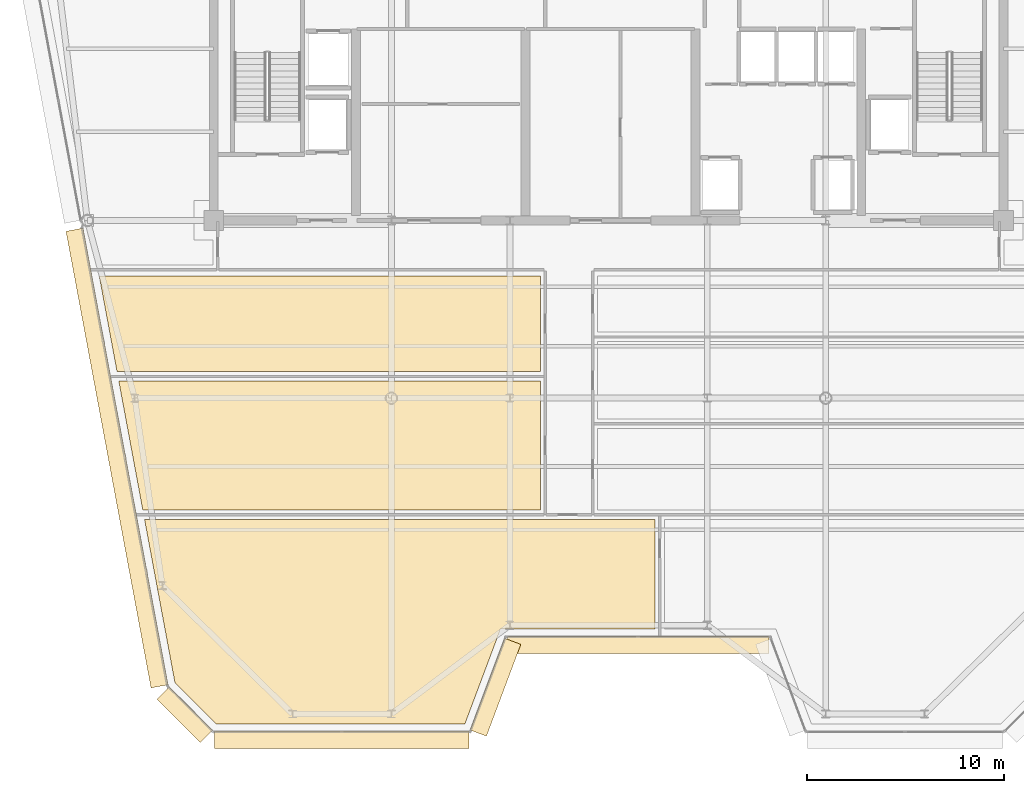
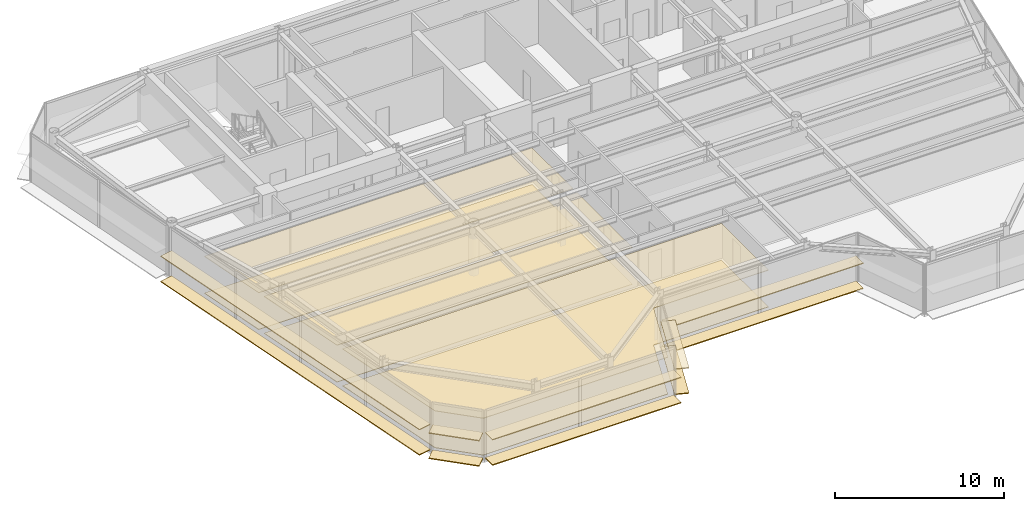
# One storey, part 12 of 18: 16 coverings.
"""IFC4 building model written with IfcOpenShell, lengths in metres."""

import ifcopenshell
import ifcopenshell.guid

model = None  # the IFC model being written
_history = None  # IfcOwnerHistory: only IFC2X3 demands one
_inside = {}  # id of a spatial element -> (the spatial element, [elements in it])
_under = {}  # id of a project, library or spatial element -> (it, [spatial elements below it])
_declared = {}  # id of a project -> (the project, [libraries it declares])
_typed = {}  # id of a type object -> (the type object, [elements of that type])
_made_of = {}  # id of a material, layer set ... -> (it, [elements and type objects made of it])


def new_model(schema):
    """Start an empty IFC model of exactly this schema.

    Asked for "IFC4X3", IfcOpenShell would pick the latest addendum, in which some entities
    have other attributes; the version numbers below select the first issue.
    IFC2X3 requires an IfcOwnerHistory on every rooted entity: one is made here for all.
    """
    global model, _history
    if schema == "IFC4X3":
        model = ifcopenshell.file(schema_version=(4, 3, 0, 0))
    else:
        model = ifcopenshell.file(schema=schema)
    _inside.clear()
    _under.clear()
    _declared.clear()
    _typed.clear()
    _made_of.clear()
    _history = None
    if model.schema == "IFC2X3":
        org = make("IfcOrganization", Name="unknown")
        user = make(
            "IfcPersonAndOrganization",
            ThePerson=make("IfcPerson", FamilyName="unknown"),
            TheOrganization=org,
        )
        app = make(
            "IfcApplication",
            ApplicationDeveloper=org,
            Version="unknown",
            ApplicationFullName="unknown",
            ApplicationIdentifier="unknown",
        )
        _history = make(
            "IfcOwnerHistory",
            OwningUser=user,
            OwningApplication=app,
            ChangeAction="ADDED",
            CreationDate=0,
        )
    return model


def make(cls, **values):
    """One entity of the class cls with the attributes given. An attribute that is None is left unset."""
    return model.create_entity(
        cls, **{name: value for name, value in values.items() if value is not None}
    )


def rooted(cls, **values):
    """An entity with a GlobalId (a new one), such as an element, a storey or a relation."""
    return make(cls, GlobalId=ifcopenshell.guid.new(), OwnerHistory=_history, **values)


def si_unit(unit_type, name, prefix=None):
    """IfcSIUnit, for example si_unit("LENGTHUNIT", "METRE", prefix="MILLI")."""
    return make("IfcSIUnit", UnitType=unit_type, Prefix=prefix, Name=name)


def assignment(units):
    """IfcUnitAssignment: the units of a project."""
    return None if units is None else make("IfcUnitAssignment", Units=units)


def point(xyz):
    """IfcCartesianPoint."""
    return None if xyz is None else make("IfcCartesianPoint", Coordinates=xyz)


def direction(xyz):
    """IfcDirection."""
    return None if xyz is None else make("IfcDirection", DirectionRatios=xyz)


def frame(location, z_axis=None, x_axis=None):
    """IfcAxis2Placement3D, a coordinate frame: its origin and axes. An axis left out is left unset."""
    return make(
        "IfcAxis2Placement3D",
        Location=point(location),
        Axis=direction(z_axis),
        RefDirection=direction(x_axis),
    )


def frame_2d(location, x_axis=None):
    """IfcAxis2Placement2D, a coordinate frame in the plane: its origin and x axis."""
    return make(
        "IfcAxis2Placement2D", Location=point(location), RefDirection=direction(x_axis)
    )


def origin():
    """The frame at (0, 0, 0) with its axes left unset."""
    return frame((0.0, 0.0, 0.0))


def origin_2d():
    """The frame at (0, 0) in the plane with its x axis left unset."""
    return frame_2d((0.0, 0.0))


def place(relative_to, where):
    """IfcLocalPlacement: puts the frame where relative to a parent placement (None: the world)."""
    return make(
        "IfcLocalPlacement", PlacementRelTo=relative_to, RelativePlacement=where
    )


def context(
    kind, dimensions, precision=None, world=None, true_north=None, identifier=None
):
    """IfcGeometricRepresentationContext, for example the 3D "Model" context."""
    return make(
        "IfcGeometricRepresentationContext",
        ContextIdentifier=identifier,
        ContextType=kind,
        CoordinateSpaceDimension=dimensions,
        Precision=precision,
        WorldCoordinateSystem=world,
        TrueNorth=true_north,
    )


def subcontext(parent, identifier, kind, view, scale=None):
    """IfcGeometricRepresentationSubContext, for example "Body" below "Model"."""
    return make(
        "IfcGeometricRepresentationSubContext",
        ContextIdentifier=identifier,
        ContextType=kind,
        ParentContext=parent,
        TargetScale=scale,
        TargetView=view,
    )


def project(units=None, contexts=None):
    """IfcProject with its units and contexts."""
    return rooted(
        "IfcProject",
        Name="project",
        RepresentationContexts=contexts,
        UnitsInContext=assignment(units),
    )


def spatial(cls, under=None, at=None, **own):
    """A site, building, storey or space (cls), placed at a placement, below another one or the project."""
    s = rooted(cls, ObjectPlacement=at, **own)
    if under is not None:
        _under.setdefault(under.id(), (under, []))[1].append(s)
    return s


def polyline(points):
    """IfcPolyline through the points."""
    return make("IfcPolyline", Points=[point(p) for p in points])


def profile(cls, at=None, kind="AREA", **sizes):
    """A parametric profile (cls). Its sizes go by their IFC names, for example OverallWidth=200.0."""
    return make(cls, ProfileType=kind, Position=at, **sizes)


def rectangle(**sizes):
    """IfcRectangleProfileDef."""
    return profile("IfcRectangleProfileDef", **sizes)


def outline(outer, holes=None, kind="AREA"):
    """IfcArbitraryClosedProfileDef: a profile drawn as a closed curve; with holes, ...WithVoids."""
    if holes is None:
        return make("IfcArbitraryClosedProfileDef", ProfileType=kind, OuterCurve=outer)
    return make(
        "IfcArbitraryProfileDefWithVoids",
        ProfileType=kind,
        OuterCurve=outer,
        InnerCurves=holes,
    )


def extrude(swept, where, along, depth):
    """IfcExtrudedAreaSolid: the profile swept, set in the frame where, extruded along a direction by depth."""
    return make(
        "IfcExtrudedAreaSolid",
        SweptArea=swept,
        Position=where,
        ExtrudedDirection=direction(along),
        Depth=depth,
    )


def shape(context_of_items, identifier, shape_type, items):
    """IfcShapeRepresentation: the items that make up one representation, for example the "Body"."""
    return make(
        "IfcShapeRepresentation",
        ContextOfItems=context_of_items,
        RepresentationIdentifier=identifier,
        RepresentationType=shape_type,
        Items=items,
    )


def source(mapping_origin, context_of_items, identifier, shape_type, items):
    """IfcRepresentationMap: a shape defined once, which mapped items show again and again."""
    return make(
        "IfcRepresentationMap",
        MappingOrigin=mapping_origin,
        MappedRepresentation=shape(context_of_items, identifier, shape_type, items),
    )


def transform(
    local_origin,
    x_axis=None,
    y_axis=None,
    z_axis=None,
    scale=None,
    scale2=None,
    scale3=None,
    uniform=True,
):
    """IfcCartesianTransformationOperator3D, or its non-uniform kind. x_axis, y_axis, z_axis: its Axis1, 2, 3."""
    if uniform:
        return make(
            "IfcCartesianTransformationOperator3D",
            Axis1=direction(x_axis),
            Axis2=direction(y_axis),
            LocalOrigin=point(local_origin),
            Scale=scale,
            Axis3=direction(z_axis),
        )
    return make(
        "IfcCartesianTransformationOperator3DnonUniform",
        Axis1=direction(x_axis),
        Axis2=direction(y_axis),
        LocalOrigin=point(local_origin),
        Scale=scale,
        Axis3=direction(z_axis),
        Scale2=scale2,
        Scale3=scale3,
    )


def mapped(mapping_source, mapping_target):
    """IfcMappedItem: shows the shape of a source again, moved by a transform."""
    return make(
        "IfcMappedItem", MappingSource=mapping_source, MappingTarget=mapping_target
    )


def material(Name=None, Category=None):
    """IfcMaterial."""
    return make("IfcMaterial", Name=Name, Category=Category)


def layer(
    of_material, thickness, ventilated=None, Name=None, Category=None, Priority=None
):
    """IfcMaterialLayer: one layer of a wall or slab, of a material (None: an air gap)."""
    return make(
        "IfcMaterialLayer",
        Material=of_material,
        LayerThickness=thickness,
        IsVentilated=ventilated,
        Name=Name,
        Category=Category,
        Priority=Priority,
    )


def layer_set(layers, Name=None):
    """IfcMaterialLayerSet."""
    return make("IfcMaterialLayerSet", MaterialLayers=layers, LayerSetName=Name)


def made_of(thing, what):
    """Note that an element or type object is made of a material, layer set ...; save() writes the relation."""
    if what is not None:
        _made_of.setdefault(what.id(), (what, []))[1].append(thing)
    return thing


def type_object(cls, material=None, **own):
    """A type object (cls), such as IfcWallType, which elements share."""
    return made_of(rooted(cls, **own), material)


def element(
    cls,
    number,
    at=None,
    inside=None,
    cuts=None,
    type_object=None,
    material=None,
    context=None,
    identifier="Body",
    shape_type=None,
    held_by="IfcProductDefinitionShape",
    body=None,
    shapes=None,
    **own,
):
    """One element of the class cls, such as IfcWall. Its Tag is "e" and its number.

    at: its placement. inside: the storey or other place that contains it. cuts: it is an
    opening in that element (IfcRelVoidsElement). A single representation is given by context,
    identifier, shape_type and body (its items); several are given by shapes. held_by: the class
    of the entity that holds the representations. save() writes the other relations.
    """
    e = rooted(cls, Tag="e%d" % number, ObjectPlacement=at, **own)
    if body is not None:
        shapes = [shape(context, identifier, shape_type, body)]
    if shapes is not None:
        e.Representation = make(held_by, Representations=shapes)
    if inside is not None:
        _inside.setdefault(inside.id(), (inside, []))[1].append(e)
    if cuts is not None:
        rooted(
            "IfcRelVoidsElement", RelatingBuildingElement=cuts, RelatedOpeningElement=e
        )
    if type_object is not None:
        _typed.setdefault(type_object.id(), (type_object, []))[1].append(e)
    return made_of(e, material)


def aggregate(whole, parts):
    """IfcRelAggregates: a whole, such as a stair, and the parts it consists of."""
    return rooted("IfcRelAggregates", RelatingObject=whole, RelatedObjects=parts)


def save(model, path):
    """Write the relations noted so far, then the file.

    IfcRelAggregates (storeys below a building ...), IfcRelContainedInSpatialStructure (elements
    in a storey), IfcRelDefinesByType, IfcRelAssociatesMaterial and IfcRelDeclares: one each for
    every whole, place, type object, material and project.
    """
    for whole, parts in _under.values():
        aggregate(whole, parts)
    for where, things in _inside.values():
        rooted(
            "IfcRelContainedInSpatialStructure",
            RelatedElements=things,
            RelatingStructure=where,
        )
    for kind, things in _typed.values():
        rooted("IfcRelDefinesByType", RelatedObjects=things, RelatingType=kind)
    for what, things in _made_of.values():
        rooted("IfcRelAssociatesMaterial", RelatedObjects=things, RelatingMaterial=what)
    for by, libraries in _declared.values():
        rooted("IfcRelDeclares", RelatingContext=by, RelatedDefinitions=libraries)
    model.write(path)


model = new_model("IFC4")

# Units and contexts
model_context = context("Model", 3, precision=1e-05, world=origin(), true_north=direction((0.0, 1.0)))
body_context = subcontext(model_context, "Body", "Model", "MODEL_VIEW")
ifc_project = project(units=[si_unit("LENGTHUNIT", "METRE"), si_unit("AREAUNIT", "SQUARE_METRE"), si_unit("VOLUMEUNIT", "CUBIC_METRE"), si_unit("PLANEANGLEUNIT", "RADIAN"), si_unit("MASSUNIT", "GRAM", prefix="KILO")], contexts=[model_context])

# Site, building, storey
site_placement = place(None, origin())
site = spatial("IfcSite", under=ifc_project, at=site_placement, CompositionType="ELEMENT")
building_placement = place(site_placement, origin())
building = spatial("IfcBuilding", under=site, at=building_placement, Name="Vaeldorn Concourse Tower", CompositionType="ELEMENT")
storey_placement = place(building_placement, frame((0.0, 0.0, 261.199951171875)))
storey = spatial("IfcBuildingStorey", under=building, at=storey_placement, Name="L67", CompositionType="ELEMENT", Elevation=261.199951171875)

# Coverings
ifc_material_1 = material(Name="Acoustic Mineral Fibre Board", Category="gypsum")
ifc_layer_1 = layer(ifc_material_1, 0.0400390625)
ifc_layer_set_1 = layer_set([ifc_layer_1], Name="Acoustic Mineral Fibre Board")
covering_type_1 = type_object("IfcCoveringType", Name="COV-CEIL-ACOUSTIC", PredefinedType="CEILING", material=ifc_layer_set_1)
covering_1_placement = place(storey_placement, frame((0.0, 0.0, 2.650146484375)))
element("IfcCovering", 1, at=covering_1_placement, inside=storey, type_object=covering_type_1, Name="Suspended Acoustic Ceiling L67-5", PredefinedType="CEILING", context=body_context, shape_type="SweptSolid", body=[
    extrude(outline(polyline([(30.56005859375, 28.360107421875), (30.56005859375, 21.840087890625), (10.408203125, 21.840087890625), (9.194091796875, 28.360107421875), (30.56005859375, 28.360107421875)])), origin(), (0.0, 0.0, 1.0), 0.039794921875),
])
covering_2_placement = place(storey_placement, frame((0.0, 0.0, 2.650146484375)))
element("IfcCovering", 2, at=covering_2_placement, inside=storey, type_object=covering_type_1, Name="Suspended Acoustic Ceiling L67-6", PredefinedType="CEILING", context=body_context, shape_type="SweptSolid", body=[
    extrude(outline(polyline([(30.56005859375, 33.699951171875), (30.56005859375, 28.840087890625), (9.10498046875, 28.840087890625), (8.199951171875, 33.699951171875), (30.56005859375, 33.699951171875)])), origin(), (0.0, 0.0, 1.0), 0.039794921875),
])
covering_3_placement = place(storey_placement, frame((0.0, 0.0, 2.650146484375)))
element("IfcCovering", 3, at=covering_3_placement, inside=storey, type_object=covering_type_1, Name="Suspended Acoustic Ceiling L67-10", PredefinedType="CEILING", context=body_context, shape_type="SweptSolid", body=[
    extrude(outline(polyline([(36.360107421875, 21.360107421875), (36.360107421875, 15.800048828125), (28.522705078125, 15.800048828125), (26.722900390625, 11.0), (14.131591796875, 11.0), (12.03662109375, 13.09521484375), (11.24609375, 17.340087890625), (11.24609375, 17.340087890625), (10.49755859375, 21.360107421875), (36.360107421875, 21.360107421875)])), origin(), (0.0, 0.0, 1.0), 0.039794921875),
])
ifc_material_2 = material(Name="Honed Limestone Terrazzo Flooring", Category="masonry")
ifc_layer_2 = layer(ifc_material_2, 0.0400390625)
ifc_layer_set_2 = layer_set([ifc_layer_2], Name="Honed Limestone Terrazzo Flooring")
covering_type_2 = type_object("IfcCoveringType", Name="COV-FLOOR-STONE", PredefinedType="FLOORING", material=ifc_layer_set_2)
covering_4_placement = place(storey_placement, origin())
element("IfcCovering", 4, at=covering_4_placement, inside=storey, type_object=covering_type_2, Name="Floor Finish Covering L67-5", PredefinedType="FLOORING", context=body_context, shape_type="SweptSolid", body=[
    extrude(outline(polyline([(30.56005859375, 28.360107421875), (30.56005859375, 21.840087890625), (10.408203125, 21.840087890625), (9.194091796875, 28.360107421875), (30.56005859375, 28.360107421875)])), origin(), (0.0, 0.0, 1.0), 0.030029296875),
])
covering_5_placement = place(storey_placement, origin())
element("IfcCovering", 5, at=covering_5_placement, inside=storey, type_object=covering_type_2, Name="Floor Finish Covering L67-6", PredefinedType="FLOORING", context=body_context, shape_type="SweptSolid", body=[
    extrude(outline(polyline([(30.56005859375, 33.699951171875), (30.56005859375, 28.840087890625), (9.10498046875, 28.840087890625), (8.199951171875, 33.699951171875), (30.56005859375, 33.699951171875)])), origin(), (0.0, 0.0, 1.0), 0.030029296875),
])
covering_6_placement = place(storey_placement, origin())
element("IfcCovering", 6, at=covering_6_placement, inside=storey, type_object=covering_type_2, Name="Floor Finish Covering L67-10", PredefinedType="FLOORING", context=body_context, shape_type="SweptSolid", body=[
    extrude(outline(polyline([(36.360107421875, 21.360107421875), (36.360107421875, 15.800048828125), (28.522705078125, 15.800048828125), (26.722900390625, 11.0), (14.131591796875, 11.0), (12.03662109375, 13.09521484375), (11.24609375, 17.340087890625), (11.24609375, 17.340087890625), (10.49755859375, 21.360107421875), (36.360107421875, 21.360107421875)])), origin(), (0.0, 0.0, 1.0), 0.030029296875),
])
ifc_material_3 = material(Name="Anodised Bronze Aluminium", Category="aluminium")
ifc_layer_3 = layer(ifc_material_3, 0.06494140625)
ifc_layer_set_3 = layer_set([ifc_layer_3], Name="Anodised Bronze Aluminium")
covering_type_3 = type_object("IfcCoveringType", Name="SD-BRONZE-SUNSHADE", PredefinedType="USERDEFINED", material=ifc_layer_set_3)
shared_shape_1 = source(origin(), body_context, "Body", "SweptSolid", [
    extrude(rectangle(XDim=4.96630859375, YDim=0.8798828125, at=origin_2d()), origin(), (0.0, 0.0, 1.0), 0.06494140625),
])
for number, where, z_axis, x_axis, name in (
    (7, (28.2744140625, 12.859619140625, 0.047607421875), (0.0, 0.0, 1.0), (0.351122702609, 0.936329454686, 0.0), "Horizontal Bronze Sunshade L67-E02.1.1"),
    (8, (28.2744140625, 12.859619140625, 1.86767578125), (0.0, 0.0, 1.0), (0.351122702609, 0.936329454686, 0.0), "Horizontal Bronze Sunshade L67-E02.1.2"),
):
    element("IfcCovering", number, at=place(storey_placement, frame(where, z_axis=z_axis, x_axis=x_axis)), inside=storey, type_object=covering_type_3, Name=name, ObjectType="SUNSHADE", PredefinedType="USERDEFINED", context=body_context, shape_type="MappedRepresentation", body=[
        mapped(shared_shape_1, transform((0.0, 0.0, 0.0), scale=1.0)),
    ])
shared_shape_2 = source(origin(), body_context, "Body", "SweptSolid", [
    extrude(rectangle(XDim=13.239990234375, YDim=0.8798828125, at=origin_2d()), origin(), (0.0, 0.0, 1.0), 0.06494140625),
])
for number, where, z_axis, x_axis, name in (
    (9, (35.5, 15.0, 0.047607421875), (0.0, 0.0, 1.0), (1.0, 0.0, 0.0), "Horizontal Bronze Sunshade L67-E03.1.1"),
    (10, (35.5, 15.0, 1.86767578125), (0.0, 0.0, 1.0), (1.0, 0.0, 0.0), "Horizontal Bronze Sunshade L67-E03.1.2"),
):
    element("IfcCovering", number, at=place(storey_placement, frame(where, z_axis=z_axis, x_axis=x_axis)), inside=storey, type_object=covering_type_3, Name=name, ObjectType="SUNSHADE", PredefinedType="USERDEFINED", context=body_context, shape_type="MappedRepresentation", body=[
        mapped(shared_shape_2, transform((0.0, 0.0, 0.0), scale=1.0)),
    ])
shared_shape_3 = source(origin(), body_context, "Body", "SweptSolid", [
    extrude(rectangle(XDim=3.0927734375, YDim=0.8798828125, at=origin_2d()), origin(), (0.0, 0.0, 1.0), 0.06494140625),
])
for number, where, z_axis, x_axis, name in (
    (11, (12.533203125, 11.46728515625, 0.047607421875), (0.0, 0.0, 1.0), (0.707106781187, -0.707106781187, 0.0), "Horizontal Bronze Sunshade L67-E12.1.1"),
    (12, (12.533203125, 11.46728515625, 1.86767578125), (0.0, 0.0, 1.0), (0.707106781187, -0.707106781187, 0.0), "Horizontal Bronze Sunshade L67-E12.1.2"),
):
    element("IfcCovering", number, at=place(storey_placement, frame(where, z_axis=z_axis, x_axis=x_axis)), inside=storey, type_object=covering_type_3, Name=name, ObjectType="SUNSHADE", PredefinedType="USERDEFINED", context=body_context, shape_type="MappedRepresentation", body=[
        mapped(shared_shape_3, transform((0.0, 0.0, 0.0), scale=1.0)),
    ])
shared_shape_4 = source(origin(), body_context, "Body", "SweptSolid", [
    extrude(rectangle(XDim=23.525146484375, YDim=0.8798828125, at=origin_2d()), origin(), (0.0, 0.0, 1.0), 0.06494140625),
])
for number, where, z_axis, x_axis, name in (
    (13, (9.10498046875, 24.46923828125, 0.047607421875), (0.0, 0.0, 1.0), (0.183059191151, -0.983101893262, 0.0), "Horizontal Bronze Sunshade L67-E11.2.1"),
    (14, (9.10498046875, 24.46923828125, 1.86767578125), (0.0, 0.0, 1.0), (0.183059191151, -0.983101893262, 0.0), "Horizontal Bronze Sunshade L67-E11.2.2"),
):
    element("IfcCovering", number, at=place(storey_placement, frame(where, z_axis=z_axis, x_axis=x_axis)), inside=storey, type_object=covering_type_3, Name=name, ObjectType="SUNSHADE", PredefinedType="USERDEFINED", context=body_context, shape_type="MappedRepresentation", body=[
        mapped(shared_shape_4, transform((0.0, 0.0, 0.0), scale=1.0)),
    ])
shared_shape_5 = source(origin(), body_context, "Body", "SweptSolid", [
    extrude(rectangle(XDim=12.8740234375, YDim=0.8798828125, at=origin_2d()), origin(), (0.0, 0.0, 1.0), 0.06494140625),
])
for number, where, z_axis, x_axis, name in (
    (15, (20.48291015625, 10.199951171875, 0.047607421875), (0.0, 0.0, 1.0), (1.0, 0.0, 0.0), "Horizontal Bronze Sunshade L67-E01.1.1"),
    (16, (20.48291015625, 10.199951171875, 1.86767578125), (0.0, 0.0, 1.0), (1.0, 0.0, 0.0), "Horizontal Bronze Sunshade L67-E01.1.2"),
):
    element("IfcCovering", number, at=place(storey_placement, frame(where, z_axis=z_axis, x_axis=x_axis)), inside=storey, type_object=covering_type_3, Name=name, ObjectType="SUNSHADE", PredefinedType="USERDEFINED", context=body_context, shape_type="MappedRepresentation", body=[
        mapped(shared_shape_5, transform((0.0, 0.0, 0.0), scale=1.0)),
    ])

save(model, "model.ifc")
